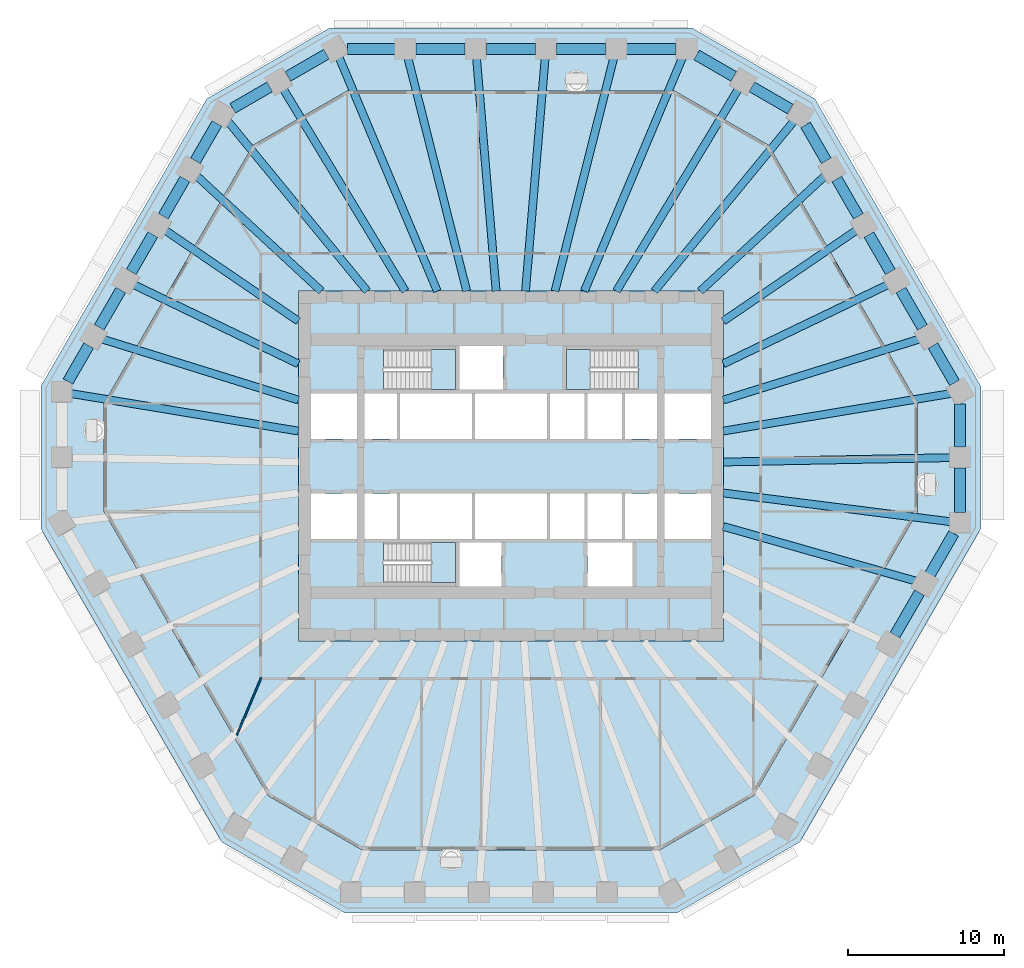
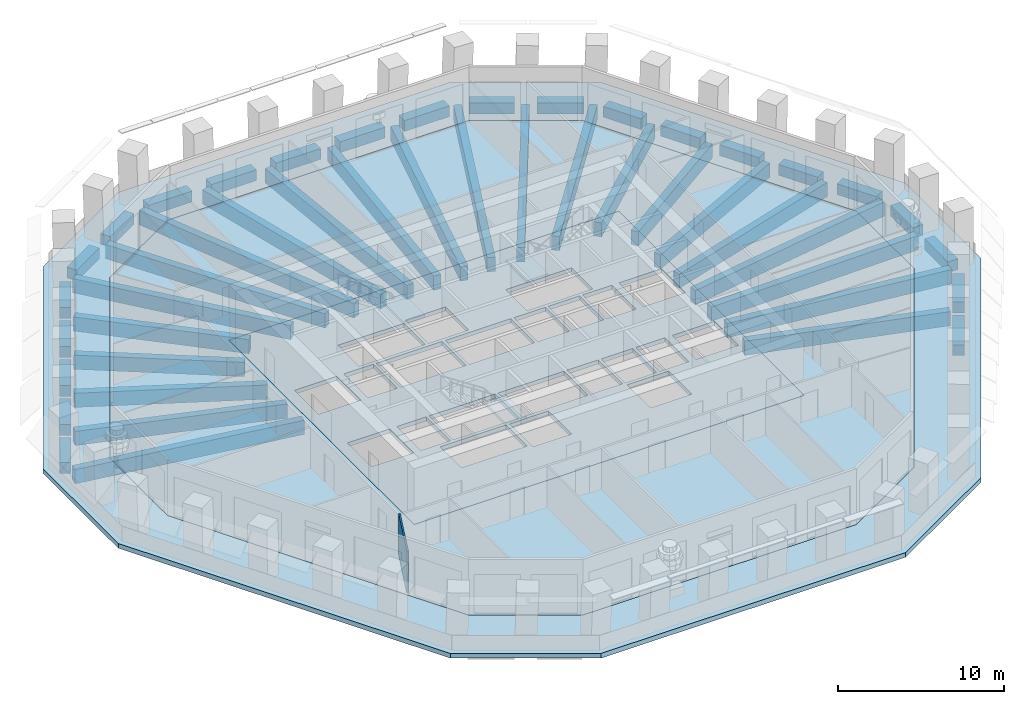
# One storey, part 2 of 13: 46 beams, 6 slabs, 1 wall, 3 elements without a shape of their own.
"""IFC4 building model written with IfcOpenShell, lengths in metres."""

from ifc_helpers import new_model, si_unit, direction, frame, frame_2d, origin, origin_2d, place, context, subcontext, project, spatial, polyline, rectangle, outline, extrude, material, layer, layer_set, material_profile, profile_set, type_object, element, aggregate, save


model = new_model("IFC4")

# Units and contexts
model_context = context("Model", 3, precision=1e-05, world=origin(), true_north=direction((0.0, 1.0)))
body_context = subcontext(model_context, "Body", "Model", "MODEL_VIEW")
ifc_project = project(units=[si_unit("LENGTHUNIT", "METRE"), si_unit("AREAUNIT", "SQUARE_METRE"), si_unit("VOLUMEUNIT", "CUBIC_METRE"), si_unit("PLANEANGLEUNIT", "RADIAN"), si_unit("MASSUNIT", "GRAM", prefix="KILO")], contexts=[model_context])

# Site, building, storey
site_placement = place(None, origin())
site = spatial("IfcSite", under=ifc_project, at=site_placement, CompositionType="ELEMENT")
building_placement = place(site_placement, origin())
building = spatial("IfcBuilding", under=site, at=building_placement, Name="Frailejon Research Tower", CompositionType="ELEMENT")
storey_placement = place(building_placement, frame((0.0, 0.0, 98.39990234375)))
storey = spatial("IfcBuildingStorey", under=building, at=storey_placement, Name="L21", CompositionType="ELEMENT", Elevation=98.39990234375)

# Beams
ifc_material_1 = material(Name="Concrete C60/75", Category="concrete")
ifc_material_profile_1 = material_profile(ifc_material_1, rectangle(XDim=0.5, YDim=1.050048828125, at=origin_2d()), Name="Girder 500x1050")
ifc_profile_set_1 = profile_set([ifc_material_profile_1], Name="Concrete C60/75")
beam_type_1 = type_object("IfcBeamType", Name="Girder 500x1050", PredefinedType="BEAM", material=ifc_profile_set_1)
beam_1_placement = place(storey_placement, frame((28.205810546875, -3.56787109375, -0.824951171875), z_axis=(-0.992093355233, 0.125502089635, 0.0), x_axis=(-0.125502089635, -0.992093355233, 0.0)))
element("IfcBeam", 1, at=beam_1_placement, inside=storey, type_object=beam_type_1, Name="Girder 500x1050", PredefinedType="BEAM", context=body_context, shape_type="SweptSolid", body=[
    extrude(rectangle(XDim=0.5, YDim=1.050048828125, at=origin_2d()), origin(), (0.0, 0.0, 1.0), 14.72216796875),
])
beam_2_placement = place(storey_placement, frame((28.20703125, 0.54296875, -0.824951171875), z_axis=(-0.999814682591, -0.019250986367, 0.0), x_axis=(0.019250986367, -0.999814682591, 0.0)))
element("IfcBeam", 2, at=beam_2_placement, inside=storey, type_object=beam_type_1, Name="Girder 500x1050", PredefinedType="BEAM", context=body_context, shape_type="SweptSolid", body=[
    extrude(rectangle(XDim=0.5, YDim=1.050048828125, at=origin_2d()), origin(), (0.0, 0.0, 1.0), 14.609619140625),
])
beam_3_placement = place(storey_placement, frame((28.16845703125, 4.647705078125, -0.824951171875), z_axis=(-0.986658972156, -0.16280071457, 0.0), x_axis=(0.16280071457, -0.986658972156, 0.0)))
element("IfcBeam", 3, at=beam_3_placement, inside=storey, type_object=beam_type_1, Name="Girder 500x1050", PredefinedType="BEAM", context=body_context, shape_type="SweptSolid", body=[
    extrude(rectangle(XDim=0.5, YDim=1.050048828125, at=origin_2d()), origin(), (0.0, 0.0, 1.0), 14.765380859375),
])
beam_4_placement = place(storey_placement, frame((26.162353515625, 8.134033203125, -0.824951171875), z_axis=(-0.954910571834, -0.29689358329, 0.0), x_axis=(0.29689358329, -0.954910571834, 0.0)))
element("IfcBeam", 4, at=beam_4_placement, inside=storey, type_object=beam_type_1, Name="Girder 500x1050", PredefinedType="BEAM", context=body_context, shape_type="SweptSolid", body=[
    extrude(rectangle(XDim=0.5, YDim=1.050048828125, at=origin_2d()), origin(), (0.0, 0.0, 1.0), 13.155517578125),
])
beam_5_placement = place(storey_placement, frame((24.153076171875, 11.62109375, -0.824951171875), z_axis=(-0.901116018926, -0.433578044225, 0.0), x_axis=(0.433578044225, -0.901116018926, 0.0)))
element("IfcBeam", 5, at=beam_5_placement, inside=storey, type_object=beam_type_1, Name="Girder 500x1050", PredefinedType="BEAM", context=body_context, shape_type="SweptSolid", body=[
    extrude(rectangle(XDim=0.5, YDim=1.050048828125, at=origin_2d()), origin(), (0.0, 0.0, 1.0), 11.7109375),
])
beam_6_placement = place(storey_placement, frame((22.140625, 15.106689453125, -0.824951171875), z_axis=(-0.826033459989, -0.563621081027, 0.0), x_axis=(0.563621081027, -0.826033459989, 0.0)))
element("IfcBeam", 6, at=beam_6_placement, inside=storey, type_object=beam_type_1, Name="Girder 500x1050", PredefinedType="BEAM", context=body_context, shape_type="SweptSolid", body=[
    extrude(rectangle(XDim=0.5, YDim=1.050048828125, at=origin_2d()), origin(), (0.0, 0.0, 1.0), 10.339111328125),
])
beam_7_placement = place(storey_placement, frame((20.12548828125, 18.59033203125, -0.824951171875), z_axis=(-0.734560191388, -0.678543532301, 0.0), x_axis=(0.678543532301, -0.734560191388, 0.0)))
element("IfcBeam", 7, at=beam_7_placement, inside=storey, type_object=beam_type_1, Name="Girder 500x1050", PredefinedType="BEAM", context=body_context, shape_type="SweptSolid", body=[
    extrude(rectangle(XDim=0.5, YDim=1.050048828125, at=origin_2d()), origin(), (0.0, 0.0, 1.0), 10.8916015625),
])
beam_8_placement = place(storey_placement, frame((18.1328125, 22.099609375, -0.824951171875), z_axis=(-0.634308385614, -0.77308012, 0.0), x_axis=(0.77308012, -0.634308385614, 0.0)))
element("IfcBeam", 8, at=beam_8_placement, inside=storey, type_object=beam_type_1, Name="Girder 500x1050", PredefinedType="BEAM", context=body_context, shape_type="SweptSolid", body=[
    extrude(rectangle(XDim=0.5, YDim=1.050048828125, at=origin_2d()), origin(), (0.0, 0.0, 1.0), 14.09912109375),
])
beam_9_placement = place(storey_placement, frame((14.57373046875, 24.156494140625, -0.824951171875), z_axis=(-0.516570346078, -0.856244753299, 0.0), x_axis=(0.856244753299, -0.516570346078, 0.0)))
element("IfcBeam", 9, at=beam_9_placement, inside=storey, type_object=beam_type_1, Name="Girder 500x1050", PredefinedType="BEAM", context=body_context, shape_type="SweptSolid", body=[
    extrude(rectangle(XDim=0.5, YDim=1.050048828125, at=origin_2d()), origin(), (0.0, 0.0, 1.0), 15.1318359375),
])
beam_10_placement = place(storey_placement, frame((10.992919921875, 26.163330078125, -0.824951171875), z_axis=(-0.38736290289, -0.921927318971, 0.0), x_axis=(0.921927318971, -0.38736290289, 0.0)))
element("IfcBeam", 10, at=beam_10_placement, inside=storey, type_object=beam_type_1, Name="Girder 500x1050", PredefinedType="BEAM", context=body_context, shape_type="SweptSolid", body=[
    extrude(rectangle(XDim=0.5, YDim=1.050048828125, at=origin_2d()), origin(), (0.0, 0.0, 1.0), 16.23046875),
])
beam_11_placement = place(storey_placement, frame((6.59765625, 26.17041015625, -0.824951171875), z_axis=(-0.244458797494, -0.969659680675, 0.0), x_axis=(0.969659680675, -0.244458797494, 0.0)))
element("IfcBeam", 11, at=beam_11_placement, inside=storey, type_object=beam_type_1, Name="Girder 500x1050", PredefinedType="BEAM", context=body_context, shape_type="SweptSolid", body=[
    extrude(rectangle(XDim=0.5, YDim=1.050048828125, at=origin_2d()), origin(), (0.0, 0.0, 1.0), 15.43896484375),
])
for number, where, z_axis, x_axis, name in (
    (12, (2.199462890625, 26.174560546875, -0.824951171875), (-0.083733858507, -0.996488153938, 0.0), (0.996488153938, -0.083733858507, 0.0), "Girder 500x1050"),
    (13, (-2.199462890625, 26.174560546875, -0.824951171875), (0.083733858507, -0.996488153938, 0.0), (0.996488153938, 0.083733858507, 0.0), "Girder 500x1050"),
):
    element("IfcBeam", number, at=place(storey_placement, frame(where, z_axis=z_axis, x_axis=x_axis)), inside=storey, type_object=beam_type_1, Name=name, PredefinedType="BEAM", context=body_context, shape_type="SweptSolid", body=[
        extrude(rectangle(XDim=0.5, YDim=1.050048828125, at=origin_2d()), origin(), (0.0, 0.0, 1.0), 15.02734375),
    ])
beam_12_placement = place(storey_placement, frame((-6.59765625, 26.17041015625, -0.824951171875), z_axis=(0.244458797494, -0.969659680675, 0.0), x_axis=(0.969659680675, 0.244458797494, 0.0)))
element("IfcBeam", 14, at=beam_12_placement, inside=storey, type_object=beam_type_1, Name="Girder 500x1050", PredefinedType="BEAM", context=body_context, shape_type="SweptSolid", body=[
    extrude(rectangle(XDim=0.5, YDim=1.050048828125, at=origin_2d()), origin(), (0.0, 0.0, 1.0), 15.43896484375),
])
beam_13_placement = place(storey_placement, frame((-11.012939453125, 26.2109375, -0.824951171875), z_axis=(0.387363763748, -0.921926957267, 0.0), x_axis=(0.921926957267, 0.387363763748, 0.0)))
element("IfcBeam", 15, at=beam_13_placement, inside=storey, type_object=beam_type_1, Name="Girder 500x1050", PredefinedType="BEAM", context=body_context, shape_type="SweptSolid", body=[
    extrude(rectangle(XDim=0.5, YDim=1.050048828125, at=origin_2d()), origin(), (0.0, 0.0, 1.0), 16.2822265625),
])
beam_14_placement = place(storey_placement, frame((-14.57373046875, 24.156494140625, -0.824951171875), z_axis=(0.516570346078, -0.856244753299, 0.0), x_axis=(0.856244753299, 0.516570346078, 0.0)))
element("IfcBeam", 16, at=beam_14_placement, inside=storey, type_object=beam_type_1, Name="Girder 500x1050", PredefinedType="BEAM", context=body_context, shape_type="SweptSolid", body=[
    extrude(rectangle(XDim=0.5, YDim=1.050048828125, at=origin_2d()), origin(), (0.0, 0.0, 1.0), 15.1318359375),
])
beam_15_placement = place(storey_placement, frame((-18.109130859375, 22.07080078125, -0.824951171875), z_axis=(0.634306501363, -0.773081666015, 0.0), x_axis=(0.773081666015, 0.634306501363, 0.0)))
element("IfcBeam", 17, at=beam_15_placement, inside=storey, type_object=beam_type_1, Name="Girder 500x1050", PredefinedType="BEAM", context=body_context, shape_type="SweptSolid", body=[
    extrude(rectangle(XDim=0.5, YDim=1.050048828125, at=origin_2d()), origin(), (0.0, 0.0, 1.0), 14.061767578125),
])
beam_16_placement = place(storey_placement, frame((-20.12548828125, 18.59033203125, -0.824951171875), z_axis=(0.734560191388, -0.678543532301, 0.0), x_axis=(0.678543532301, 0.734560191388, 0.0)))
element("IfcBeam", 18, at=beam_16_placement, inside=storey, type_object=beam_type_1, Name="Girder 500x1050", PredefinedType="BEAM", context=body_context, shape_type="SweptSolid", body=[
    extrude(rectangle(XDim=0.5, YDim=1.050048828125, at=origin_2d()), origin(), (0.0, 0.0, 1.0), 10.8916015625),
])
beam_17_placement = place(storey_placement, frame((-22.140625, 15.106689453125, -0.824951171875), z_axis=(0.826033459989, -0.563621081027, 0.0), x_axis=(0.563621081027, 0.826033459989, 0.0)))
element("IfcBeam", 19, at=beam_17_placement, inside=storey, type_object=beam_type_1, Name="Girder 500x1050", PredefinedType="BEAM", context=body_context, shape_type="SweptSolid", body=[
    extrude(rectangle(XDim=0.5, YDim=1.050048828125, at=origin_2d()), origin(), (0.0, 0.0, 1.0), 10.339111328125),
])
beam_18_placement = place(storey_placement, frame((-24.153076171875, 11.62109375, -0.824951171875), z_axis=(0.901116018926, -0.433578044225, 0.0), x_axis=(0.433578044225, 0.901116018926, 0.0)))
element("IfcBeam", 20, at=beam_18_placement, inside=storey, type_object=beam_type_1, Name="Girder 500x1050", PredefinedType="BEAM", context=body_context, shape_type="SweptSolid", body=[
    extrude(rectangle(XDim=0.5, YDim=1.050048828125, at=origin_2d()), origin(), (0.0, 0.0, 1.0), 11.7109375),
])
beam_19_placement = place(storey_placement, frame((-26.162353515625, 8.134033203125, -0.824951171875), z_axis=(0.954910571834, -0.29689358329, 0.0), x_axis=(0.29689358329, 0.954910571834, 0.0)))
element("IfcBeam", 21, at=beam_19_placement, inside=storey, type_object=beam_type_1, Name="Girder 500x1050", PredefinedType="BEAM", context=body_context, shape_type="SweptSolid", body=[
    extrude(rectangle(XDim=0.5, YDim=1.050048828125, at=origin_2d()), origin(), (0.0, 0.0, 1.0), 13.155517578125),
])
beam_20_placement = place(storey_placement, frame((-28.205078125, 4.65380859375, -0.824951171875), z_axis=(0.986658310625, -0.16280472375, 0.0), x_axis=(0.16280472375, 0.986658310625, 0.0)))
element("IfcBeam", 22, at=beam_20_placement, inside=storey, type_object=beam_type_1, Name="Girder 500x1050", PredefinedType="BEAM", context=body_context, shape_type="SweptSolid", body=[
    extrude(rectangle(XDim=0.5, YDim=1.050048828125, at=origin_2d()), origin(), (0.0, 0.0, 1.0), 14.802490234375),
])
beam_21_placement = place(storey_placement, frame((25.962890625, -7.37158203125, -0.824951171875), z_axis=(-0.961974277101, 0.273140056008, 0.0), x_axis=(-0.273140056008, -0.961974277101, 0.0)))
element("IfcBeam", 23, at=beam_21_placement, inside=storey, type_object=beam_type_1, Name="Girder 500x1050", PredefinedType="BEAM", context=body_context, shape_type="SweptSolid", body=[
    extrude(rectangle(XDim=0.5, YDim=1.050048828125, at=origin_2d()), origin(), (0.0, 0.0, 1.0), 12.8515625),
])
ifc_material_2 = material(Name="Concrete C60/75", Category="concrete")
ifc_material_profile_2 = material_profile(ifc_material_2, rectangle(XDim=0.699951171875, YDim=0.800048828125, at=origin_2d()), Name="Spandrel 700x800")
ifc_profile_set_2 = profile_set([ifc_material_profile_2], Name="Concrete C60/75")
beam_type_2 = type_object("IfcBeamType", Name="Spandrel 700x800", PredefinedType="BEAM", material=ifc_profile_set_2)
beam_22_placement = place(storey_placement, frame((28.732177734375, -2.95947265625, -0.75), z_axis=(0.0, 1.0, 0.0), x_axis=(-1.0, 0.0, 0.0)))
element("IfcBeam", 24, at=beam_22_placement, inside=storey, type_object=beam_type_2, Name="Spandrel 700x800", PredefinedType="BEAM", context=body_context, shape_type="SweptSolid", body=[
    extrude(rectangle(XDim=0.699951171875, YDim=0.800048828125, at=origin_2d()), origin(), (0.0, 0.0, 1.0), 2.837646484375),
])
beam_23_placement = place(storey_placement, frame((28.732177734375, 1.22802734375, -0.75), z_axis=(0.0, 1.0, 0.0), x_axis=(-1.0, 0.0, 0.0)))
element("IfcBeam", 25, at=beam_23_placement, inside=storey, type_object=beam_type_2, Name="Spandrel 700x800", PredefinedType="BEAM", context=body_context, shape_type="SweptSolid", body=[
    extrude(rectangle(XDim=0.699951171875, YDim=0.800048828125, at=origin_2d()), origin(), (0.0, 0.0, 1.0), 2.733154296875),
])
beam_24_placement = place(storey_placement, frame((28.39453125, 5.3251953125, -0.75), z_axis=(-0.499952654668, 0.866052736899, 0.0), x_axis=(-0.866052736899, -0.499952654668, 0.0)))
element("IfcBeam", 26, at=beam_24_placement, inside=storey, type_object=beam_type_2, Name="Spandrel 700x800", PredefinedType="BEAM", context=body_context, shape_type="SweptSolid", body=[
    extrude(rectangle(XDim=0.699951171875, YDim=0.800048828125, at=origin_2d()), origin(), (0.0, 0.0, 1.0), 2.754150390625),
])
beam_25_placement = place(storey_placement, frame((26.342529296875, 8.879638671875, -0.75), z_axis=(-0.500019137511, 0.866014354455, 0.0), x_axis=(-0.866014354455, -0.500019137511, 0.0)))
element("IfcBeam", 27, at=beam_25_placement, inside=storey, type_object=beam_type_2, Name="Spandrel 700x800", PredefinedType="BEAM", context=body_context, shape_type="SweptSolid", body=[
    extrude(rectangle(XDim=0.699951171875, YDim=0.800048828125, at=origin_2d()), origin(), (0.0, 0.0, 1.0), 2.75439453125),
])
beam_26_placement = place(storey_placement, frame((24.290283203125, 12.43408203125, -0.75), z_axis=(-0.499991038717, 0.866030577522, 0.0), x_axis=(-0.866030577522, -0.499991038717, 0.0)))
element("IfcBeam", 28, at=beam_26_placement, inside=storey, type_object=beam_type_2, Name="Spandrel 700x800", PredefinedType="BEAM", context=body_context, shape_type="SweptSolid", body=[
    extrude(rectangle(XDim=0.699951171875, YDim=0.800048828125, at=origin_2d()), origin(), (0.0, 0.0, 1.0), 2.75390625),
])
beam_27_placement = place(storey_placement, frame((22.23828125, 15.98828125, -0.75), z_axis=(-0.500019137511, 0.866014354455, 0.0), x_axis=(-0.866014354455, -0.500019137511, 0.0)))
element("IfcBeam", 29, at=beam_27_placement, inside=storey, type_object=beam_type_2, Name="Spandrel 700x800", PredefinedType="BEAM", context=body_context, shape_type="SweptSolid", body=[
    extrude(rectangle(XDim=0.699951171875, YDim=0.800048828125, at=origin_2d()), origin(), (0.0, 0.0, 1.0), 2.75439453125),
])
beam_28_placement = place(storey_placement, frame((20.186279296875, 19.542724609375, -0.75), z_axis=(-0.500033502416, 0.866006060292, 0.0), x_axis=(-0.866006060292, -0.500033502416, 0.0)))
element("IfcBeam", 30, at=beam_28_placement, inside=storey, type_object=beam_type_2, Name="Spandrel 700x800", PredefinedType="BEAM", context=body_context, shape_type="SweptSolid", body=[
    extrude(rectangle(XDim=0.699951171875, YDim=0.800048828125, at=origin_2d()), origin(), (0.0, 0.0, 1.0), 2.649658203125),
])
beam_29_placement = place(storey_placement, frame((17.886962890625, 22.849853515625, -0.75), z_axis=(-0.865989280058, 0.500062562911, 0.0), x_axis=(-0.500062562911, -0.865989280058, 0.0)))
element("IfcBeam", 31, at=beam_29_placement, inside=storey, type_object=beam_type_2, Name="Spandrel 700x800", PredefinedType="BEAM", context=body_context, shape_type="SweptSolid", body=[
    extrude(rectangle(XDim=0.699951171875, YDim=0.800048828125, at=origin_2d()), origin(), (0.0, 0.0, 1.0), 2.837646484375),
])
beam_30_placement = place(storey_placement, frame((14.260498046875, 24.943603515625, -0.75), z_axis=(-0.866002615699, 0.500039468044, 0.0), x_axis=(-0.500039468044, -0.866002615699, 0.0)))
element("IfcBeam", 32, at=beam_30_placement, inside=storey, type_object=beam_type_2, Name="Spandrel 700x800", PredefinedType="BEAM", context=body_context, shape_type="SweptSolid", body=[
    extrude(rectangle(XDim=0.699951171875, YDim=0.800048828125, at=origin_2d()), origin(), (0.0, 0.0, 1.0), 2.733154296875),
])
for number, where, z_axis, x_axis, name in (
    (33, (10.54345703125, 26.699951171875, -0.75), (-1.0, 0.0, 0.0), (0.0, -1.0, 0.0), "Spandrel 700x800"),
    (34, (6.05615234375, 26.699951171875, -0.75), (-1.0, 0.0, 0.0), (0.0, -1.0, 0.0), "Spandrel 700x800"),
):
    element("IfcBeam", number, at=place(storey_placement, frame(where, z_axis=z_axis, x_axis=x_axis)), inside=storey, type_object=beam_type_2, Name=name, PredefinedType="BEAM", context=body_context, shape_type="SweptSolid", body=[
        extrude(rectangle(XDim=0.699951171875, YDim=0.800048828125, at=origin_2d()), origin(), (0.0, 0.0, 1.0), 3.137451171875),
    ])
beam_31_placement = place(storey_placement, frame((1.568603515625, 26.699951171875, -0.75), z_axis=(-1.0, 0.0, 0.0), x_axis=(0.0, -1.0, 0.0)))
element("IfcBeam", 35, at=beam_31_placement, inside=storey, type_object=beam_type_2, Name="Spandrel 700x800", PredefinedType="BEAM", context=body_context, shape_type="SweptSolid", body=[
    extrude(rectangle(XDim=0.699951171875, YDim=0.800048828125, at=origin_2d()), origin(), (0.0, 0.0, 1.0), 3.13720703125),
])
beam_32_placement = place(storey_placement, frame((-2.918701171875, 26.699951171875, -0.75), z_axis=(-1.0, 0.0, 0.0), x_axis=(0.0, -1.0, 0.0)))
element("IfcBeam", 36, at=beam_32_placement, inside=storey, type_object=beam_type_2, Name="Spandrel 700x800", PredefinedType="BEAM", context=body_context, shape_type="SweptSolid", body=[
    extrude(rectangle(XDim=0.699951171875, YDim=0.800048828125, at=origin_2d()), origin(), (0.0, 0.0, 1.0), 3.137451171875),
])
beam_33_placement = place(storey_placement, frame((-7.406005859375, 26.699951171875, -0.75), z_axis=(-1.0, 0.0, 0.0), x_axis=(0.0, -1.0, 0.0)))
element("IfcBeam", 37, at=beam_33_placement, inside=storey, type_object=beam_type_2, Name="Spandrel 700x800", PredefinedType="BEAM", context=body_context, shape_type="SweptSolid", body=[
    extrude(rectangle(XDim=0.699951171875, YDim=0.800048828125, at=origin_2d()), origin(), (0.0, 0.0, 1.0), 3.033203125),
])
beam_34_placement = place(storey_placement, frame((-11.802978515625, 26.362548828125, -0.75), z_axis=(-0.866010792954, -0.500025305846, 0.0), x_axis=(0.500025305846, -0.866010792954, 0.0)))
element("IfcBeam", 38, at=beam_34_placement, inside=storey, type_object=beam_type_2, Name="Spandrel 700x800", PredefinedType="BEAM", context=body_context, shape_type="SweptSolid", body=[
    extrude(rectangle(XDim=0.699951171875, YDim=0.800048828125, at=origin_2d()), origin(), (0.0, 0.0, 1.0), 2.837646484375),
])
beam_35_placement = place(storey_placement, frame((-15.4296875, 24.268798828125, -0.75), z_axis=(-0.866002615699, -0.500039468044, 0.0), x_axis=(0.500039468044, -0.866002615699, 0.0)))
element("IfcBeam", 39, at=beam_35_placement, inside=storey, type_object=beam_type_2, Name="Spandrel 700x800", PredefinedType="BEAM", context=body_context, shape_type="SweptSolid", body=[
    extrude(rectangle(XDim=0.699951171875, YDim=0.800048828125, at=origin_2d()), origin(), (0.0, 0.0, 1.0), 2.733154296875),
])
beam_36_placement = place(storey_placement, frame((-18.80908203125, 21.927734375, -0.75), z_axis=(-0.500057523261, -0.865992190167, 0.0), x_axis=(0.865992190167, -0.500057523261, 0.0)))
element("IfcBeam", 40, at=beam_36_placement, inside=storey, type_object=beam_type_2, Name="Spandrel 700x800", PredefinedType="BEAM", context=body_context, shape_type="SweptSolid", body=[
    extrude(rectangle(XDim=0.699951171875, YDim=0.800048828125, at=origin_2d()), origin(), (0.0, 0.0, 1.0), 2.754150390625),
])
beam_37_placement = place(storey_placement, frame((-20.861083984375, 18.37353515625, -0.75), z_axis=(-0.500019137511, -0.866014354455, 0.0), x_axis=(0.866014354455, -0.500019137511, 0.0)))
element("IfcBeam", 41, at=beam_37_placement, inside=storey, type_object=beam_type_2, Name="Spandrel 700x800", PredefinedType="BEAM", context=body_context, shape_type="SweptSolid", body=[
    extrude(rectangle(XDim=0.699951171875, YDim=0.800048828125, at=origin_2d()), origin(), (0.0, 0.0, 1.0), 2.75439453125),
])
beam_38_placement = place(storey_placement, frame((-22.913330078125, 14.819091796875, -0.75), z_axis=(-0.499991038717, -0.866030577522, 0.0), x_axis=(0.866030577522, -0.499991038717, 0.0)))
element("IfcBeam", 42, at=beam_38_placement, inside=storey, type_object=beam_type_2, Name="Spandrel 700x800", PredefinedType="BEAM", context=body_context, shape_type="SweptSolid", body=[
    extrude(rectangle(XDim=0.699951171875, YDim=0.800048828125, at=origin_2d()), origin(), (0.0, 0.0, 1.0), 2.75390625),
])
beam_39_placement = place(storey_placement, frame((-24.96533203125, 11.264892578125, -0.75), z_axis=(-0.500019137511, -0.866014354455, 0.0), x_axis=(0.866014354455, -0.500019137511, 0.0)))
element("IfcBeam", 43, at=beam_39_placement, inside=storey, type_object=beam_type_2, Name="Spandrel 700x800", PredefinedType="BEAM", context=body_context, shape_type="SweptSolid", body=[
    extrude(rectangle(XDim=0.699951171875, YDim=0.800048828125, at=origin_2d()), origin(), (0.0, 0.0, 1.0), 2.75439453125),
])
beam_40_placement = place(storey_placement, frame((-27.017578125, 7.71044921875, -0.75), z_axis=(-0.499964397147, -0.866045958125, 0.0), x_axis=(0.866045958125, -0.499964397147, 0.0)))
element("IfcBeam", 44, at=beam_40_placement, inside=storey, type_object=beam_type_2, Name="Spandrel 700x800", PredefinedType="BEAM", context=body_context, shape_type="SweptSolid", body=[
    extrude(rectangle(XDim=0.699951171875, YDim=0.800048828125, at=origin_2d()), origin(), (0.0, 0.0, 1.0), 2.649658203125),
])
beam_41_placement = place(storey_placement, frame((24.582275390625, -10.822265625, -0.75), z_axis=(0.499980673046, 0.866036561919, 0.0), x_axis=(-0.866036561919, 0.499980673046, 0.0)))
element("IfcBeam", 45, at=beam_41_placement, inside=storey, type_object=beam_type_2, Name="Spandrel 700x800", PredefinedType="BEAM", context=body_context, shape_type="SweptSolid", body=[
    extrude(rectangle(XDim=0.699951171875, YDim=0.800048828125, at=origin_2d()), origin(), (0.0, 0.0, 1.0), 3.13720703125),
])
beam_42_placement = place(storey_placement, frame((26.825927734375, -6.93603515625, -0.75), z_axis=(0.499991897794, 0.866030081544, 0.0), x_axis=(-0.866030081544, 0.499991897794, 0.0)))
element("IfcBeam", 46, at=beam_42_placement, inside=storey, type_object=beam_type_2, Name="Spandrel 700x800", PredefinedType="BEAM", context=body_context, shape_type="SweptSolid", body=[
    extrude(rectangle(XDim=0.699951171875, YDim=0.800048828125, at=origin_2d()), origin(), (0.0, 0.0, 1.0), 3.03271484375),
])

# Slabs
ifc_material_3 = material(Name="Concrete C70/85", Category="concrete")
ifc_layer_1 = layer(ifc_material_3, 0.300048828125)
ifc_layer_set_1 = layer_set([ifc_layer_1], Name="Core floor slab 300 C70/85")
slab_type_1 = type_object("IfcSlabType", Name="Core floor slab 300 C70/85", PredefinedType="FLOOR", material=ifc_layer_set_1)
slab_1_placement = place(storey_placement, frame((0.0, 0.0, -0.2998046875)))
element("IfcSlab", 47, at=slab_1_placement, inside=storey, type_object=slab_type_1, Name="Core floor slab", PredefinedType="FLOOR", context=body_context, shape_type="SweptSolid", body=[
    extrude(outline(polyline([(13.60009765625, -11.199951171875), (13.60009765625, 11.199951171875), (-13.60009765625, 11.199951171875), (-13.60009765625, -11.199951171875), (13.60009765625, -11.199951171875)]), holes=[polyline([(-9.85009765625, 1.75), (-9.85009765625, 4.64990234375), (-12.800048828125, 4.64990234375), (-12.800048828125, 1.75), (-9.85009765625, 1.75)]), polyline([(-7.300048828125, 1.75), (-7.300048828125, 4.64990234375), (-9.35009765625, 4.64990234375), (-9.35009765625, 1.75), (-7.300048828125, 1.75)]), polyline([(-2.5, 1.75), (-2.5, 4.64990234375), (-7.10009765625, 4.64990234375), (-7.10009765625, 1.75), (-2.5, 1.75)]), polyline([(2.300048828125, 1.75), (2.300048828125, 4.64990234375), (-2.300048828125, 4.64990234375), (-2.300048828125, 1.75), (2.300048828125, 1.75)]), polyline([(4.699951171875, 1.75), (4.699951171875, 4.64990234375), (2.5, 4.64990234375), (2.5, 1.75), (4.699951171875, 1.75)]), polyline([(7.10009765625, 1.75), (7.10009765625, 4.64990234375), (4.89990234375, 4.64990234375), (4.89990234375, 1.75), (7.10009765625, 1.75)]), polyline([(9.35009765625, 1.75), (9.35009765625, 4.64990234375), (7.300048828125, 4.64990234375), (7.300048828125, 1.75), (9.35009765625, 1.75)]), polyline([(12.800048828125, 1.75), (12.800048828125, 4.64990234375), (9.85009765625, 4.64990234375), (9.85009765625, 1.75), (12.800048828125, 1.75)]), polyline([(-9.85009765625, -4.64990234375), (-9.85009765625, -1.75), (-12.800048828125, -1.75), (-12.800048828125, -4.64990234375), (-9.85009765625, -4.64990234375)]), polyline([(-7.300048828125, -4.64990234375), (-7.300048828125, -1.75), (-9.35009765625, -1.75), (-9.35009765625, -4.64990234375), (-7.300048828125, -4.64990234375)]), polyline([(-2.5, -4.64990234375), (-2.5, -1.75), (-7.10009765625, -1.75), (-7.10009765625, -4.64990234375), (-2.5, -4.64990234375)]), polyline([(2.300048828125, -4.64990234375), (2.300048828125, -1.75), (-2.300048828125, -1.75), (-2.300048828125, -4.64990234375), (2.300048828125, -4.64990234375)]), polyline([(4.699951171875, -4.64990234375), (4.699951171875, -1.75), (2.5, -1.75), (2.5, -4.64990234375), (4.699951171875, -4.64990234375)]), polyline([(7.10009765625, -4.64990234375), (7.10009765625, -1.75), (4.89990234375, -1.75), (4.89990234375, -4.64990234375), (7.10009765625, -4.64990234375)]), polyline([(9.35009765625, -4.64990234375), (9.35009765625, -1.75), (7.300048828125, -1.75), (7.300048828125, -4.64990234375), (9.35009765625, -4.64990234375)]), polyline([(12.800048828125, -4.64990234375), (12.800048828125, -1.75), (9.85009765625, -1.75), (9.85009765625, -4.64990234375), (12.800048828125, -4.64990234375)]), polyline([(-8.14697265625, 4.89990234375), (-3.550048828125, 4.89990234375), (-3.550048828125, 7.449951171875), (-8.14697265625, 7.449951171875), (-8.14697265625, 4.89990234375)]), polyline([(-8.14697265625, -7.449951171875), (-3.550048828125, -7.449951171875), (-3.550048828125, -4.89990234375), (-8.14697265625, -4.89990234375), (-8.14697265625, -7.449951171875)]), polyline([(8.14697265625, 7.449951171875), (3.550048828125, 7.449951171875), (3.550048828125, 4.89990234375), (8.14697265625, 4.89990234375), (8.14697265625, 7.449951171875)]), polyline([(-0.60009765625, -7.699951171875), (-0.60009765625, -4.89990234375), (-3.300048828125, -4.89990234375), (-3.300048828125, -7.699951171875), (-0.60009765625, -7.699951171875)]), polyline([(7.800048828125, -7.699951171875), (7.800048828125, -4.89990234375), (4.89990234375, -4.89990234375), (4.89990234375, -7.699951171875), (7.800048828125, -7.699951171875)]), polyline([(-0.5, 4.89990234375), (-0.5, 7.699951171875), (-3.300048828125, 7.699951171875), (-3.300048828125, 4.89990234375), (-0.5, 4.89990234375)])]), origin(), (0.0, 0.0, 1.0), 0.2998046875),
])
ifc_material_4 = material(Name="Concrete C40/50", Category="concrete")
ifc_layer_2 = layer(ifc_material_4, 0.35009765625)
ifc_layer_set_2 = layer_set([ifc_layer_2], Name="Loggia slab 350")
slab_type_2 = type_object("IfcSlabType", Name="Loggia slab 350", PredefinedType="USERDEFINED", material=ifc_layer_set_2)
slab_2_placement = place(storey_placement, frame((0.0, 0.0, -0.349853515625)))
element("IfcSlab", 48, at=slab_2_placement, inside=storey, type_object=slab_type_2, Name="Loggia slab L21", ObjectType="LOGGIA", PredefinedType="USERDEFINED", context=body_context, shape_type="SweptSolid", body=[
    extrude(outline(polyline([(18.501953125, -24.0537109375), (10.622314453125, -28.60302734375), (-10.622314453125, -28.60302734375), (-18.501953125, -24.0537109375), (-30.08203125, -3.99609375), (-30.08203125, 5.102294921875), (-19.4599609375, 23.500732421875), (-11.580322265625, 28.050048828125), (11.580322265625, 28.050048828125), (19.4599609375, 23.500732421875), (30.08203125, 5.102294921875), (30.08203125, -3.99609375), (18.501953125, -24.0537109375)]), holes=[polyline([(26.031982421875, 4.01708984375), (16.4951171875, 20.535888671875), (10.4951171875, 24.0), (-10.4951171875, 24.0), (-16.4951171875, 20.535888671875), (-26.031982421875, 4.01708984375), (-26.031982421875, -2.910888671875), (-15.537109375, -21.089111328125), (-9.537109375, -24.552978515625), (9.537109375, -24.552978515625), (15.537109375, -21.089111328125), (26.031982421875, -2.910888671875), (26.031982421875, 4.01708984375)])]), origin(), (0.0, 0.0, 1.0), 0.349853515625),
])
ifc_material_5 = material(Name="Concrete C40/50", Category="concrete")
ifc_layer_3 = layer(ifc_material_5, 0.300048828125)
ifc_layer_set_3 = layer_set([ifc_layer_3], Name="Slab typical 300")
slab_type_3 = type_object("IfcSlabType", Name="Slab typical 300", PredefinedType="FLOOR", material=ifc_layer_set_3)
slab_3_placement = place(storey_placement, frame((0.0, 0.0, -0.2998046875)))
element("IfcSlab", 49, at=slab_3_placement, inside=storey, type_object=slab_type_3, Name="Floor slab L21", PredefinedType="FLOOR", context=body_context, shape_type="SweptSolid", body=[
    extrude(outline(polyline([(26.031982421875, -2.910888671875), (26.031982421875, 4.01708984375), (16.4951171875, 20.535888671875), (10.4951171875, 24.0), (-10.4951171875, 24.0), (-16.4951171875, 20.535888671875), (-26.031982421875, 4.01708984375), (-26.031982421875, -2.910888671875), (-15.537109375, -21.089111328125), (-9.537109375, -24.552978515625), (9.537109375, -24.552978515625), (15.537109375, -21.089111328125), (26.031982421875, -2.910888671875)]), holes=[polyline([(13.60009765625, -11.199951171875), (-13.60009765625, -11.199951171875), (-13.60009765625, 11.199951171875), (13.60009765625, 11.199951171875), (13.60009765625, -11.199951171875)])]), origin(), (0.0, 0.0, 1.0), 0.2998046875),
])

# Stair, slab
ifc_material_6 = material(Name="Concrete C50/60", Category="concrete")
stair_type = type_object("IfcStairType", Name="Exit stair 24 risers", PredefinedType="HALF_TURN_STAIR", material=ifc_material_6)
stair_1_placement = place(storey_placement, origin())
stair_1 = element("IfcStair", 50, at=stair_1_placement, inside=storey, type_object=stair_type, Name="L21 Exit stair ST1", PredefinedType="HALF_TURN_STAIR")
ifc_material_7 = material(Name="Concrete C50/60", Category="concrete")
ifc_layer_4 = layer(ifc_material_7, 0.199951171875)
ifc_layer_set_4 = layer_set([ifc_layer_4], Name="Stair landing slab 200")
slab_type_4 = type_object("IfcSlabType", Name="Stair landing slab 200", PredefinedType="LANDING", material=ifc_layer_set_4)
slab_4_placement = place(storey_placement, frame((0.0, 0.0, 2.0)))
slab_4 = element("IfcSlab", 51, at=slab_4_placement, type_object=slab_type_4, Name="ST1 landing 1", PredefinedType="LANDING", context=body_context, shape_type="SweptSolid", body=[
    extrude(outline(polyline([(-5.070068359375, 4.89990234375), (-3.550048828125, 4.89990234375), (-3.550048828125, 7.449951171875), (-5.070068359375, 7.449951171875), (-5.070068359375, 4.89990234375)])), origin(), (0.0, 0.0, 1.0), 0.2001953125),
])
aggregate(stair_1, [slab_4])

stair_2_placement = place(storey_placement, origin())
stair_2 = element("IfcStair", 52, at=stair_2_placement, inside=storey, type_object=stair_type, Name="L21 Exit stair ST2", PredefinedType="HALF_TURN_STAIR")
slab_5_placement = place(storey_placement, frame((0.0, 0.0, 2.0)))
slab_5 = element("IfcSlab", 53, at=slab_5_placement, type_object=slab_type_4, Name="ST2 landing 1", PredefinedType="LANDING", context=body_context, shape_type="SweptSolid", body=[
    extrude(outline(polyline([(-5.070068359375, -7.449951171875), (-3.550048828125, -7.449951171875), (-3.550048828125, -4.89990234375), (-5.070068359375, -4.89990234375), (-5.070068359375, -7.449951171875)])), origin(), (0.0, 0.0, 1.0), 0.2001953125),
])
aggregate(stair_2, [slab_5])

stair_3_placement = place(storey_placement, origin())
stair_3 = element("IfcStair", 54, at=stair_3_placement, inside=storey, type_object=stair_type, Name="L21 Exit stair ST3", PredefinedType="HALF_TURN_STAIR")
slab_6_placement = place(storey_placement, frame((0.0, 0.0, 2.0)))
slab_6 = element("IfcSlab", 55, at=slab_6_placement, type_object=slab_type_4, Name="ST3 landing 1", PredefinedType="LANDING", context=body_context, shape_type="SweptSolid", body=[
    extrude(outline(polyline([(5.070068359375, 7.449951171875), (3.550048828125, 7.449951171875), (3.550048828125, 4.89990234375), (5.070068359375, 4.89990234375), (5.070068359375, 7.449951171875)])), origin(), (0.0, 0.0, 1.0), 0.2001953125),
])
aggregate(stair_3, [slab_6])

# Wall
ifc_material_8 = material(Name="Gypsum board and masonry partition", Category="masonry")
ifc_layer_5 = layer(ifc_material_8, 0.10009765625)
ifc_layer_set_5 = layer_set([ifc_layer_5], Name="Partition, gypsum on steel studs 100")
wall_type = type_object("IfcWallType", Name="Partition, gypsum on steel studs 100", PredefinedType="PARTITIONING", material=ifc_layer_set_5)
wall_placement = place(storey_placement, frame((-17.5380859375, -17.222900390625, 0.0), z_axis=(0.0, 0.0, 1.0), x_axis=(0.390787441252, 0.92048094807, 0.0)))
element("IfcWall", 56, at=wall_placement, inside=storey, type_object=wall_type, Name="T:IW:L21:020", PredefinedType="PARTITIONING", context=body_context, shape_type="SweptSolid", body=[
    extrude(rectangle(XDim=4.0107421875, YDim=0.10009765625, at=frame_2d((2.00537109375, 0.0))), origin(), (0.0, 0.0, 1.0), 3.050048828125),
])

save(model, "model.ifc")
